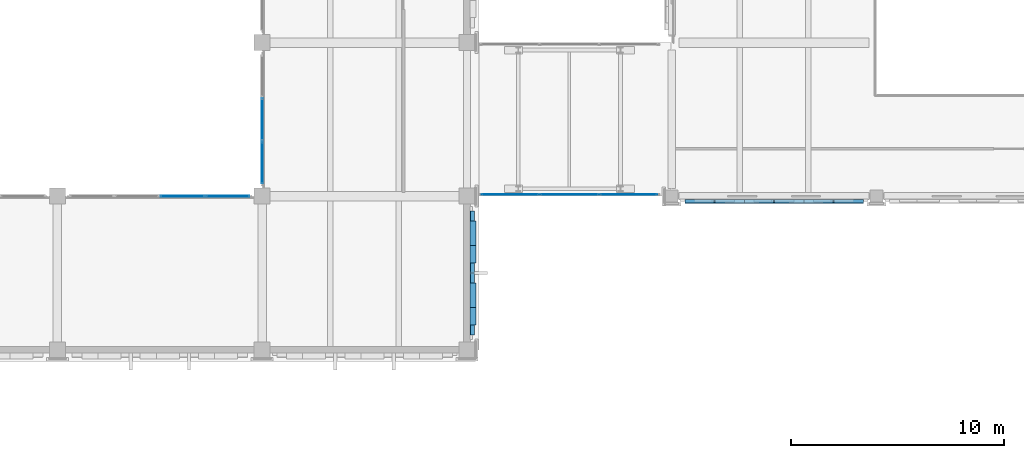
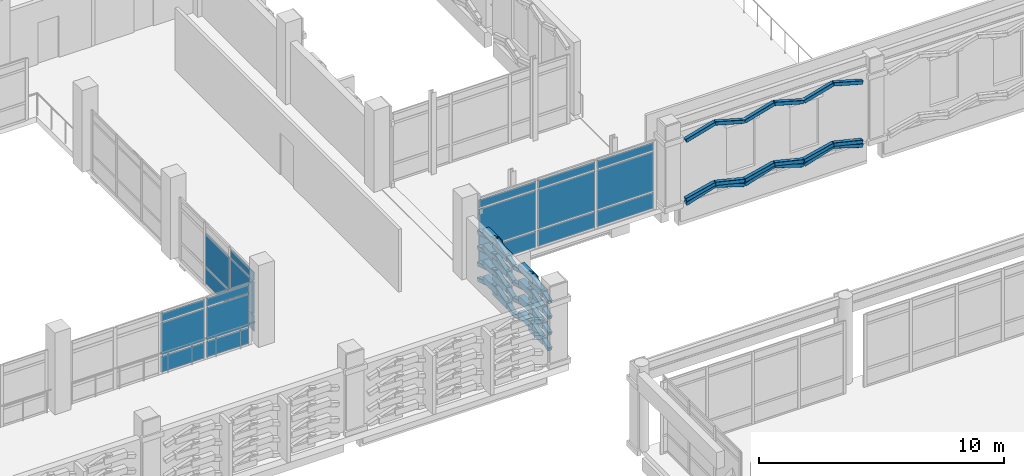
# One storey, part 138 of 180: 70 plates, 3 elements without a shape of their own.
"""IFC4 building model written with IfcOpenShell, lengths in metres."""

from ifc_helpers import new_model, si_unit, direction, frame, origin, origin_2d, place, context, subcontext, project, spatial, rectangle, hollow_rectangle, extrude, material, layer, layer_set, material_profile, profile_set, type_object, element, aggregate, save


model = new_model("IFC4")

# Units and contexts
model_context = context("Model", 3, precision=1e-05, world=origin(), true_north=direction((0.0, 1.0)))
body_context = subcontext(model_context, "Body", "Model", "MODEL_VIEW")
ifc_project = project(units=[si_unit("LENGTHUNIT", "METRE"), si_unit("AREAUNIT", "SQUARE_METRE"), si_unit("VOLUMEUNIT", "CUBIC_METRE"), si_unit("PLANEANGLEUNIT", "RADIAN"), si_unit("MASSUNIT", "GRAM", prefix="KILO")], contexts=[model_context])

# Site, building, storey
site_placement = place(None, origin())
site = spatial("IfcSite", under=ifc_project, at=site_placement, CompositionType="ELEMENT")
building_placement = place(site_placement, origin())
building = spatial("IfcBuilding", under=site, at=building_placement, Name="Asteropetra Specialist Clinic", CompositionType="ELEMENT")
storey_placement = place(building_placement, frame((0.0, 0.0, 4.419921875)))
storey = spatial("IfcBuildingStorey", under=building, at=storey_placement, Name="L01", CompositionType="ELEMENT", Elevation=4.419921875)

# Plates
ifc_material_1 = material(Name="Chevron emerald aluminium 6063-T6", Category="aluminium")
ifc_material_profile_1 = material_profile(ifc_material_1, hollow_rectangle(XDim=0.179931640625, YDim=0.179931640625, WallThickness=0.010009765625, InnerFilletRadius=0.008056640625, OuterFilletRadius=0.01611328125, at=origin_2d()), Name="SHS 180x180x10.0")
ifc_profile_set_1 = profile_set([ifc_material_profile_1], Name="Chevron emerald aluminium 6063-T6")
plate_type_1 = type_object("IfcPlateType", Name="CHV-RIB-180", PredefinedType="SHEET", material=ifc_profile_set_1)
for number, where, z_axis, x_axis, name in (
    (1, (87.0400390625, 76.55810546875, 0.0400390625), (0.952424147199, 0.0, 0.304775727104), (0.0, 1.0, 0.0), "Chevron Facade Screen Fin CVR-0001"),
    (2, (88.413330078125, 76.55810546875, 0.4794921875), (0.952424147199, 0.0, -0.304775727104), (0.0, 1.0, 0.0), "Chevron Facade Screen Fin CVR-0002"),
):
    element("IfcPlate", number, at=place(storey_placement, frame(where, z_axis=z_axis, x_axis=x_axis)), inside=storey, type_object=plate_type_1, Name=name, PredefinedType="SHEET", context=body_context, shape_type="SweptSolid", body=[
        extrude(hollow_rectangle(XDim=0.179931640625, YDim=0.179931640625, WallThickness=0.010009765625, InnerFilletRadius=0.008056640625, OuterFilletRadius=0.01611328125, at=origin_2d()), origin(), (0.0, 0.0, 1.0), 1.44189453125),
    ])
for number, where, z_axis, x_axis, name in (
    (3, (87.0400390625, 76.55810546875, 0.239990234375), (0.972308795496, 0.0, 0.233699820713), (0.0, 1.0, 0.0), "Chevron Facade Screen Fin CVR-0003"),
    (4, (88.413330078125, 76.55810546875, 0.570068359375), (0.972308795496, 0.0, -0.233699820713), (0.0, 1.0, 0.0), "Chevron Facade Screen Fin CVR-0004"),
):
    element("IfcPlate", number, at=place(storey_placement, frame(where, z_axis=z_axis, x_axis=x_axis)), inside=storey, type_object=plate_type_1, Name=name, PredefinedType="SHEET", context=body_context, shape_type="SweptSolid", body=[
        extrude(hollow_rectangle(XDim=0.179931640625, YDim=0.179931640625, WallThickness=0.010009765625, InnerFilletRadius=0.008056640625, OuterFilletRadius=0.01611328125, at=origin_2d()), origin(), (0.0, 0.0, 1.0), 1.412353515625),
    ])
for number, where, z_axis, x_axis, name in (
    (5, (87.0400390625, 76.55810546875, 3.190185546875), (0.96198081159, 0.0, 0.273117041086), (0.0, 1.0, 0.0), "Chevron Facade Screen Fin CVR-0005"),
    (6, (88.413330078125, 76.55810546875, 3.580078125), (0.96198081159, 0.0, -0.273117041086), (0.0, 1.0, 0.0), "Chevron Facade Screen Fin CVR-0006"),
):
    element("IfcPlate", number, at=place(storey_placement, frame(where, z_axis=z_axis, x_axis=x_axis)), inside=storey, type_object=plate_type_1, Name=name, PredefinedType="SHEET", context=body_context, shape_type="SweptSolid", body=[
        extrude(hollow_rectangle(XDim=0.179931640625, YDim=0.179931640625, WallThickness=0.010009765625, InnerFilletRadius=0.008056640625, OuterFilletRadius=0.01611328125, at=origin_2d()), origin(), (0.0, 0.0, 1.0), 1.427490234375),
    ])
for number, where, z_axis, x_axis, name in (
    (7, (89.82666015625, 76.55810546875, 0.0400390625), (0.952424147199, 0.0, 0.304775727104), (0.0, 1.0, 0.0), "Chevron Facade Screen Fin CVR-0007"),
    (8, (91.199951171875, 76.55810546875, 0.4794921875), (0.952424147199, 0.0, -0.304775727104), (0.0, 1.0, 0.0), "Chevron Facade Screen Fin CVR-0008"),
):
    element("IfcPlate", number, at=place(storey_placement, frame(where, z_axis=z_axis, x_axis=x_axis)), inside=storey, type_object=plate_type_1, Name=name, PredefinedType="SHEET", context=body_context, shape_type="SweptSolid", body=[
        extrude(hollow_rectangle(XDim=0.179931640625, YDim=0.179931640625, WallThickness=0.010009765625, InnerFilletRadius=0.008056640625, OuterFilletRadius=0.01611328125, at=origin_2d()), origin(), (0.0, 0.0, 1.0), 1.44189453125),
    ])
for number, where, z_axis, x_axis, name in (
    (9, (89.82666015625, 76.55810546875, 0.239990234375), (0.972308795496, 0.0, 0.233699820713), (0.0, 1.0, 0.0), "Chevron Facade Screen Fin CVR-0009"),
    (10, (91.199951171875, 76.55810546875, 0.570068359375), (0.972308795496, 0.0, -0.233699820713), (0.0, 1.0, 0.0), "Chevron Facade Screen Fin CVR-0010"),
):
    element("IfcPlate", number, at=place(storey_placement, frame(where, z_axis=z_axis, x_axis=x_axis)), inside=storey, type_object=plate_type_1, Name=name, PredefinedType="SHEET", context=body_context, shape_type="SweptSolid", body=[
        extrude(hollow_rectangle(XDim=0.179931640625, YDim=0.179931640625, WallThickness=0.010009765625, InnerFilletRadius=0.008056640625, OuterFilletRadius=0.01611328125, at=origin_2d()), origin(), (0.0, 0.0, 1.0), 1.412353515625),
    ])
for number, where, z_axis, x_axis, name in (
    (11, (89.82666015625, 76.55810546875, 3.190185546875), (0.96198081159, 0.0, 0.273117041086), (0.0, 1.0, 0.0), "Chevron Facade Screen Fin CVR-0011"),
    (12, (91.199951171875, 76.55810546875, 3.580078125), (0.96198081159, 0.0, -0.273117041086), (0.0, 1.0, 0.0), "Chevron Facade Screen Fin CVR-0012"),
):
    element("IfcPlate", number, at=place(storey_placement, frame(where, z_axis=z_axis, x_axis=x_axis)), inside=storey, type_object=plate_type_1, Name=name, PredefinedType="SHEET", context=body_context, shape_type="SweptSolid", body=[
        extrude(hollow_rectangle(XDim=0.179931640625, YDim=0.179931640625, WallThickness=0.010009765625, InnerFilletRadius=0.008056640625, OuterFilletRadius=0.01611328125, at=origin_2d()), origin(), (0.0, 0.0, 1.0), 1.427490234375),
    ])
plate_1_placement = place(storey_placement, frame((92.61328125, 76.55810546875, 0.0400390625), z_axis=(0.952439871219, 0.0, 0.304726585175), x_axis=(0.0, 1.0, 0.0)))
element("IfcPlate", 13, at=plate_1_placement, inside=storey, type_object=plate_type_1, Name="Chevron Facade Screen Fin CVR-0013", PredefinedType="SHEET", context=body_context, shape_type="SweptSolid", body=[
    extrude(hollow_rectangle(XDim=0.179931640625, YDim=0.179931640625, WallThickness=0.010009765625, InnerFilletRadius=0.008056640625, OuterFilletRadius=0.01611328125, at=origin_2d()), origin(), (0.0, 0.0, 1.0), 1.442138671875),
])
plate_2_placement = place(storey_placement, frame((93.98681640625, 76.55810546875, 0.4794921875), z_axis=(0.952424147199, 0.0, -0.304775727104), x_axis=(0.0, 1.0, 0.0)))
element("IfcPlate", 14, at=plate_2_placement, inside=storey, type_object=plate_type_1, Name="Chevron Facade Screen Fin CVR-0014", PredefinedType="SHEET", context=body_context, shape_type="SweptSolid", body=[
    extrude(hollow_rectangle(XDim=0.179931640625, YDim=0.179931640625, WallThickness=0.010009765625, InnerFilletRadius=0.008056640625, OuterFilletRadius=0.01611328125, at=origin_2d()), origin(), (0.0, 0.0, 1.0), 1.44189453125),
])
plate_3_placement = place(storey_placement, frame((92.61328125, 76.55810546875, 0.239990234375), z_axis=(0.972318233691, 0.0, 0.233660549582), x_axis=(0.0, 1.0, 0.0)))
element("IfcPlate", 15, at=plate_3_placement, inside=storey, type_object=plate_type_1, Name="Chevron Facade Screen Fin CVR-0015", PredefinedType="SHEET", context=body_context, shape_type="SweptSolid", body=[
    extrude(hollow_rectangle(XDim=0.179931640625, YDim=0.179931640625, WallThickness=0.010009765625, InnerFilletRadius=0.008056640625, OuterFilletRadius=0.01611328125, at=origin_2d()), origin(), (0.0, 0.0, 1.0), 1.41259765625),
])
plate_4_placement = place(storey_placement, frame((93.98681640625, 76.55810546875, 0.570068359375), z_axis=(0.972308795496, 0.0, -0.233699820713), x_axis=(0.0, 1.0, 0.0)))
element("IfcPlate", 16, at=plate_4_placement, inside=storey, type_object=plate_type_1, Name="Chevron Facade Screen Fin CVR-0016", PredefinedType="SHEET", context=body_context, shape_type="SweptSolid", body=[
    extrude(hollow_rectangle(XDim=0.179931640625, YDim=0.179931640625, WallThickness=0.010009765625, InnerFilletRadius=0.008056640625, OuterFilletRadius=0.01611328125, at=origin_2d()), origin(), (0.0, 0.0, 1.0), 1.412353515625),
])
plate_5_placement = place(storey_placement, frame((92.61328125, 76.55810546875, 3.190185546875), z_axis=(0.961993565235, 0.0, 0.273072115834), x_axis=(0.0, 1.0, 0.0)))
element("IfcPlate", 17, at=plate_5_placement, inside=storey, type_object=plate_type_1, Name="Chevron Facade Screen Fin CVR-0017", PredefinedType="SHEET", context=body_context, shape_type="SweptSolid", body=[
    extrude(hollow_rectangle(XDim=0.179931640625, YDim=0.179931640625, WallThickness=0.010009765625, InnerFilletRadius=0.008056640625, OuterFilletRadius=0.01611328125, at=origin_2d()), origin(), (0.0, 0.0, 1.0), 1.427734375),
])
plate_6_placement = place(storey_placement, frame((93.98681640625, 76.55810546875, 3.580078125), z_axis=(0.96198081159, 0.0, -0.273117041086), x_axis=(0.0, 1.0, 0.0)))
element("IfcPlate", 18, at=plate_6_placement, inside=storey, type_object=plate_type_1, Name="Chevron Facade Screen Fin CVR-0018", PredefinedType="SHEET", context=body_context, shape_type="SweptSolid", body=[
    extrude(hollow_rectangle(XDim=0.179931640625, YDim=0.179931640625, WallThickness=0.010009765625, InnerFilletRadius=0.008056640625, OuterFilletRadius=0.01611328125, at=origin_2d()), origin(), (0.0, 0.0, 1.0), 1.427490234375),
])
ifc_material_2 = material(Name="Chevron emerald aluminium 6063-T6", Category="aluminium")
ifc_material_profile_2 = material_profile(ifc_material_2, hollow_rectangle(XDim=0.199951171875, YDim=0.199951171875, WallThickness=0.010009765625, InnerFilletRadius=0.008056640625, OuterFilletRadius=0.01611328125, at=origin_2d()), Name="SHS 200x200x10.0")
ifc_profile_set_2 = profile_set([ifc_material_profile_2], Name="Chevron emerald aluminium 6063-T6")
plate_type_2 = type_object("IfcPlateType", Name="CHV-RIB-200", PredefinedType="SHEET", material=ifc_profile_set_2)
plate_7_placement = place(storey_placement, frame((77.052001953125, 70.31494140625, 0.050048828125), z_axis=(0.0, 0.952507040007, 0.304516565619), x_axis=(-1.0, 0.0, 0.0)))
element("IfcPlate", 19, at=plate_7_placement, inside=storey, type_object=plate_type_2, Name="Chevron Facade Screen Fin CVR-0683", PredefinedType="SHEET", context=body_context, shape_type="SweptSolid", body=[
    extrude(hollow_rectangle(XDim=0.199951171875, YDim=0.199951171875, WallThickness=0.010009765625, InnerFilletRadius=0.008056640625, OuterFilletRadius=0.01611328125, at=origin_2d()), origin(), (0.0, 0.0, 1.0), 1.504150390625),
])
plate_8_placement = place(storey_placement, frame((77.052001953125, 71.74755859375, 0.508056640625), z_axis=(0.0, 0.952491984317, -0.304563654777), x_axis=(-1.0, 0.0, 0.0)))
element("IfcPlate", 20, at=plate_8_placement, inside=storey, type_object=plate_type_2, Name="Chevron Facade Screen Fin CVR-0684", PredefinedType="SHEET", context=body_context, shape_type="SweptSolid", body=[
    extrude(hollow_rectangle(XDim=0.199951171875, YDim=0.199951171875, WallThickness=0.010009765625, InnerFilletRadius=0.008056640625, OuterFilletRadius=0.01611328125, at=origin_2d()), origin(), (0.0, 0.0, 1.0), 1.50390625),
])
plate_9_placement = place(storey_placement, frame((77.052001953125, 70.31494140625, 0.820068359375), z_axis=(0.0, 0.952507040007, 0.304516565619), x_axis=(-1.0, 0.0, 0.0)))
element("IfcPlate", 21, at=plate_9_placement, inside=storey, type_object=plate_type_2, Name="Chevron Facade Screen Fin CVR-0685", PredefinedType="SHEET", context=body_context, shape_type="SweptSolid", body=[
    extrude(hollow_rectangle(XDim=0.199951171875, YDim=0.199951171875, WallThickness=0.010009765625, InnerFilletRadius=0.008056640625, OuterFilletRadius=0.01611328125, at=origin_2d()), origin(), (0.0, 0.0, 1.0), 1.504150390625),
])
plate_10_placement = place(storey_placement, frame((77.052001953125, 71.74755859375, 1.278076171875), z_axis=(0.0, 0.952491984317, -0.304563654777), x_axis=(-1.0, 0.0, 0.0)))
element("IfcPlate", 22, at=plate_10_placement, inside=storey, type_object=plate_type_2, Name="Chevron Facade Screen Fin CVR-0686", PredefinedType="SHEET", context=body_context, shape_type="SweptSolid", body=[
    extrude(hollow_rectangle(XDim=0.199951171875, YDim=0.199951171875, WallThickness=0.010009765625, InnerFilletRadius=0.008056640625, OuterFilletRadius=0.01611328125, at=origin_2d()), origin(), (0.0, 0.0, 1.0), 1.50390625),
])
plate_11_placement = place(storey_placement, frame((77.052001953125, 70.31494140625, 1.6201171875), z_axis=(0.0, 0.952507040007, 0.304516565619), x_axis=(-1.0, 0.0, 0.0)))
element("IfcPlate", 23, at=plate_11_placement, inside=storey, type_object=plate_type_2, Name="Chevron Facade Screen Fin CVR-0687", PredefinedType="SHEET", context=body_context, shape_type="SweptSolid", body=[
    extrude(hollow_rectangle(XDim=0.199951171875, YDim=0.199951171875, WallThickness=0.010009765625, InnerFilletRadius=0.008056640625, OuterFilletRadius=0.01611328125, at=origin_2d()), origin(), (0.0, 0.0, 1.0), 1.504150390625),
])
plate_12_placement = place(storey_placement, frame((77.052001953125, 71.74755859375, 2.078125), z_axis=(0.0, 0.952491984317, -0.304563654777), x_axis=(-1.0, 0.0, 0.0)))
element("IfcPlate", 24, at=plate_12_placement, inside=storey, type_object=plate_type_2, Name="Chevron Facade Screen Fin CVR-0688", PredefinedType="SHEET", context=body_context, shape_type="SweptSolid", body=[
    extrude(hollow_rectangle(XDim=0.199951171875, YDim=0.199951171875, WallThickness=0.010009765625, InnerFilletRadius=0.008056640625, OuterFilletRadius=0.01611328125, at=origin_2d()), origin(), (0.0, 0.0, 1.0), 1.50390625),
])
plate_13_placement = place(storey_placement, frame((77.052001953125, 70.31494140625, 2.400146484375), z_axis=(0.0, 0.952507040007, 0.304516565619), x_axis=(-1.0, 0.0, 0.0)))
element("IfcPlate", 25, at=plate_13_placement, inside=storey, type_object=plate_type_2, Name="Chevron Facade Screen Fin CVR-0689", PredefinedType="SHEET", context=body_context, shape_type="SweptSolid", body=[
    extrude(hollow_rectangle(XDim=0.199951171875, YDim=0.199951171875, WallThickness=0.010009765625, InnerFilletRadius=0.008056640625, OuterFilletRadius=0.01611328125, at=origin_2d()), origin(), (0.0, 0.0, 1.0), 1.504150390625),
])
plate_14_placement = place(storey_placement, frame((77.052001953125, 71.74755859375, 2.858154296875), z_axis=(0.0, 0.952491984317, -0.304563654777), x_axis=(-1.0, 0.0, 0.0)))
element("IfcPlate", 26, at=plate_14_placement, inside=storey, type_object=plate_type_2, Name="Chevron Facade Screen Fin CVR-0690", PredefinedType="SHEET", context=body_context, shape_type="SweptSolid", body=[
    extrude(hollow_rectangle(XDim=0.199951171875, YDim=0.199951171875, WallThickness=0.010009765625, InnerFilletRadius=0.008056640625, OuterFilletRadius=0.01611328125, at=origin_2d()), origin(), (0.0, 0.0, 1.0), 1.50390625),
])
plate_15_placement = place(storey_placement, frame((77.052001953125, 73.219970703125, 0.050048828125), z_axis=(0.0, 0.952507040007, 0.304516565619), x_axis=(-1.0, 0.0, 0.0)))
element("IfcPlate", 27, at=plate_15_placement, inside=storey, type_object=plate_type_2, Name="Chevron Facade Screen Fin CVR-0691", PredefinedType="SHEET", context=body_context, shape_type="SweptSolid", body=[
    extrude(hollow_rectangle(XDim=0.199951171875, YDim=0.199951171875, WallThickness=0.010009765625, InnerFilletRadius=0.008056640625, OuterFilletRadius=0.01611328125, at=origin_2d()), origin(), (0.0, 0.0, 1.0), 1.504150390625),
])
plate_16_placement = place(storey_placement, frame((77.052001953125, 74.652587890625, 0.508056640625), z_axis=(0.0, 0.952491984317, -0.304563654777), x_axis=(-1.0, 0.0, 0.0)))
element("IfcPlate", 28, at=plate_16_placement, inside=storey, type_object=plate_type_2, Name="Chevron Facade Screen Fin CVR-0692", PredefinedType="SHEET", context=body_context, shape_type="SweptSolid", body=[
    extrude(hollow_rectangle(XDim=0.199951171875, YDim=0.199951171875, WallThickness=0.010009765625, InnerFilletRadius=0.008056640625, OuterFilletRadius=0.01611328125, at=origin_2d()), origin(), (0.0, 0.0, 1.0), 1.50390625),
])
plate_17_placement = place(storey_placement, frame((77.052001953125, 73.219970703125, 0.820068359375), z_axis=(0.0, 0.952507040007, 0.304516565619), x_axis=(-1.0, 0.0, 0.0)))
element("IfcPlate", 29, at=plate_17_placement, inside=storey, type_object=plate_type_2, Name="Chevron Facade Screen Fin CVR-0693", PredefinedType="SHEET", context=body_context, shape_type="SweptSolid", body=[
    extrude(hollow_rectangle(XDim=0.199951171875, YDim=0.199951171875, WallThickness=0.010009765625, InnerFilletRadius=0.008056640625, OuterFilletRadius=0.01611328125, at=origin_2d()), origin(), (0.0, 0.0, 1.0), 1.504150390625),
])
plate_18_placement = place(storey_placement, frame((77.052001953125, 74.652587890625, 1.278076171875), z_axis=(0.0, 0.952491984317, -0.304563654777), x_axis=(-1.0, 0.0, 0.0)))
element("IfcPlate", 30, at=plate_18_placement, inside=storey, type_object=plate_type_2, Name="Chevron Facade Screen Fin CVR-0694", PredefinedType="SHEET", context=body_context, shape_type="SweptSolid", body=[
    extrude(hollow_rectangle(XDim=0.199951171875, YDim=0.199951171875, WallThickness=0.010009765625, InnerFilletRadius=0.008056640625, OuterFilletRadius=0.01611328125, at=origin_2d()), origin(), (0.0, 0.0, 1.0), 1.50390625),
])
plate_19_placement = place(storey_placement, frame((77.052001953125, 73.219970703125, 1.6201171875), z_axis=(0.0, 0.952507040007, 0.304516565619), x_axis=(-1.0, 0.0, 0.0)))
element("IfcPlate", 31, at=plate_19_placement, inside=storey, type_object=plate_type_2, Name="Chevron Facade Screen Fin CVR-0695", PredefinedType="SHEET", context=body_context, shape_type="SweptSolid", body=[
    extrude(hollow_rectangle(XDim=0.199951171875, YDim=0.199951171875, WallThickness=0.010009765625, InnerFilletRadius=0.008056640625, OuterFilletRadius=0.01611328125, at=origin_2d()), origin(), (0.0, 0.0, 1.0), 1.504150390625),
])
plate_20_placement = place(storey_placement, frame((77.052001953125, 74.652587890625, 2.078125), z_axis=(0.0, 0.952491984317, -0.304563654777), x_axis=(-1.0, 0.0, 0.0)))
element("IfcPlate", 32, at=plate_20_placement, inside=storey, type_object=plate_type_2, Name="Chevron Facade Screen Fin CVR-0696", PredefinedType="SHEET", context=body_context, shape_type="SweptSolid", body=[
    extrude(hollow_rectangle(XDim=0.199951171875, YDim=0.199951171875, WallThickness=0.010009765625, InnerFilletRadius=0.008056640625, OuterFilletRadius=0.01611328125, at=origin_2d()), origin(), (0.0, 0.0, 1.0), 1.50390625),
])
plate_21_placement = place(storey_placement, frame((77.052001953125, 73.219970703125, 2.400146484375), z_axis=(0.0, 0.952507040007, 0.304516565619), x_axis=(-1.0, 0.0, 0.0)))
element("IfcPlate", 33, at=plate_21_placement, inside=storey, type_object=plate_type_2, Name="Chevron Facade Screen Fin CVR-0697", PredefinedType="SHEET", context=body_context, shape_type="SweptSolid", body=[
    extrude(hollow_rectangle(XDim=0.199951171875, YDim=0.199951171875, WallThickness=0.010009765625, InnerFilletRadius=0.008056640625, OuterFilletRadius=0.01611328125, at=origin_2d()), origin(), (0.0, 0.0, 1.0), 1.504150390625),
])
plate_22_placement = place(storey_placement, frame((77.052001953125, 74.652587890625, 2.858154296875), z_axis=(0.0, 0.952491984317, -0.304563654777), x_axis=(-1.0, 0.0, 0.0)))
element("IfcPlate", 34, at=plate_22_placement, inside=storey, type_object=plate_type_2, Name="Chevron Facade Screen Fin CVR-0698", PredefinedType="SHEET", context=body_context, shape_type="SweptSolid", body=[
    extrude(hollow_rectangle(XDim=0.199951171875, YDim=0.199951171875, WallThickness=0.010009765625, InnerFilletRadius=0.008056640625, OuterFilletRadius=0.01611328125, at=origin_2d()), origin(), (0.0, 0.0, 1.0), 1.50390625),
])

# Curtain wall, plates
ifc_material_3 = material(Name="Aluminium and low-E glass", Category="aluminium")
ifc_layer_1 = layer(ifc_material_3, 0.135009765625)
ifc_layer_set_1 = layer_set([ifc_layer_1], Name="Aluminium and low-E glass")
curtain_wall_type_1 = type_object("IfcCurtainWallType", Name="CW-SYS-06", PredefinedType="USERDEFINED", material=ifc_layer_set_1)
curtain_wall_1_placement = place(storey_placement, origin())
curtain_wall_1 = element("IfcCurtainWall", 35, at=curtain_wall_1_placement, inside=storey, type_object=curtain_wall_type_1, Name="Curtain Wall CW-030", ObjectType="UNITISED CURTAIN WALL", PredefinedType="USERDEFINED")
ifc_material_4 = material(Name="Solar-control triple glazing", Category="glass")
ifc_layer_2 = layer(ifc_material_4, 0.035888671875)
ifc_layer_set_2 = layer_set([ifc_layer_2], Name="Solar-control triple glazing")
plate_type_3 = type_object("IfcPlateType", Name="CWP-GLZ-36", PredefinedType="CURTAIN_PANEL", material=ifc_layer_set_2)
plate_23_placement = place(storey_placement, frame((67.199951171875, 78.37548828125, 0.074951171875), z_axis=(0.0, 0.0, 1.0), x_axis=(0.0, 1.0, 0.0)))
plate_23 = element("IfcPlate", 36, at=plate_23_placement, type_object=plate_type_3, Name="CW-030 panel 1.1", PredefinedType="CURTAIN_PANEL", context=body_context, shape_type="SweptSolid", body=[
    extrude(rectangle(XDim=1.930908203125, YDim=0.035888671875, at=origin_2d()), origin(), (0.0, 0.0, 1.0), 0.78759765625),
])
plate_24_placement = place(storey_placement, frame((67.199951171875, 78.37548828125, 0.9375), z_axis=(0.0, 0.0, 1.0), x_axis=(0.0, 1.0, 0.0)))
plate_24 = element("IfcPlate", 37, at=plate_24_placement, type_object=plate_type_3, Name="CW-030 panel 1.2", PredefinedType="CURTAIN_PANEL", context=body_context, shape_type="SweptSolid", body=[
    extrude(rectangle(XDim=1.930908203125, YDim=0.035888671875, at=origin_2d()), origin(), (0.0, 0.0, 1.0), 1.60498046875),
])
plate_25_placement = place(storey_placement, frame((67.199951171875, 78.37548828125, 2.61767578125), z_axis=(0.0, 0.0, 1.0), x_axis=(0.0, 1.0, 0.0)))
plate_25 = element("IfcPlate", 38, at=plate_25_placement, type_object=plate_type_3, Name="CW-030 panel 1.3", PredefinedType="CURTAIN_PANEL", context=body_context, shape_type="SweptSolid", body=[
    extrude(rectangle(XDim=1.930908203125, YDim=0.035888671875, at=origin_2d()), origin(), (0.0, 0.0, 1.0), 0.387451171875),
])
plate_26_placement = place(storey_placement, frame((67.199951171875, 80.39990234375, 0.074951171875), z_axis=(0.0, 0.0, 1.0), x_axis=(0.0, 1.0, 0.0)))
plate_26 = element("IfcPlate", 39, at=plate_26_placement, type_object=plate_type_3, Name="CW-030 panel 2.1", PredefinedType="CURTAIN_PANEL", context=body_context, shape_type="SweptSolid", body=[
    extrude(rectangle(XDim=1.96826171875, YDim=0.035888671875, at=origin_2d()), origin(), (0.0, 0.0, 1.0), 0.78759765625),
])
plate_27_placement = place(storey_placement, frame((67.199951171875, 80.39990234375, 0.9375), z_axis=(0.0, 0.0, 1.0), x_axis=(0.0, 1.0, 0.0)))
plate_27 = element("IfcPlate", 40, at=plate_27_placement, type_object=plate_type_3, Name="CW-030 panel 2.2", PredefinedType="CURTAIN_PANEL", context=body_context, shape_type="SweptSolid", body=[
    extrude(rectangle(XDim=1.96826171875, YDim=0.035888671875, at=origin_2d()), origin(), (0.0, 0.0, 1.0), 1.60498046875),
])
aggregate(curtain_wall_1, [plate_23, plate_24, plate_25, plate_26, plate_27])

ifc_material_5 = material(Name="Aluminium and low-E glass", Category="aluminium")
ifc_layer_3 = layer(ifc_material_5, 0.179931640625)
ifc_layer_set_3 = layer_set([ifc_layer_3], Name="Aluminium and low-E glass")
curtain_wall_type_2 = type_object("IfcCurtainWallType", Name="CW-SYS-04", PredefinedType="USERDEFINED", material=ifc_layer_set_3)
curtain_wall_2_placement = place(storey_placement, origin())
curtain_wall_2 = element("IfcCurtainWall", 41, at=curtain_wall_2_placement, inside=storey, type_object=curtain_wall_type_2, Name="Curtain Wall CW-027", ObjectType="UNITISED CURTAIN WALL", PredefinedType="USERDEFINED")
ifc_material_6 = material(Name="Laminated skylight glazing", Category="glass")
ifc_layer_4 = layer(ifc_material_6, 0.0400390625)
ifc_layer_set_4 = layer_set([ifc_layer_4], Name="Laminated skylight glazing")
plate_type_4 = type_object("IfcPlateType", Name="CWP-GLZ-40", PredefinedType="CURTAIN_PANEL", material=ifc_layer_set_4)
plate_28_placement = place(storey_placement, frame((63.46630859375, 76.800048828125, 0.074951171875), z_axis=(0.0, 0.0, 1.0), x_axis=(1.0, 0.0, 0.0)))
plate_28 = element("IfcPlate", 42, at=plate_28_placement, type_object=plate_type_4, Name="CW-027 panel 3.1", PredefinedType="CURTAIN_PANEL", context=body_context, shape_type="SweptSolid", body=[
    extrude(rectangle(XDim=2.0576171875, YDim=0.0400390625, at=origin_2d()), origin(), (0.0, 0.0, 1.0), 0.78759765625),
])
plate_29_placement = place(storey_placement, frame((63.46630859375, 76.800048828125, 0.9375), z_axis=(0.0, 0.0, 1.0), x_axis=(1.0, 0.0, 0.0)))
plate_29 = element("IfcPlate", 43, at=plate_29_placement, type_object=plate_type_4, Name="CW-027 panel 3.2", PredefinedType="CURTAIN_PANEL", context=body_context, shape_type="SweptSolid", body=[
    extrude(rectangle(XDim=2.0576171875, YDim=0.0400390625, at=origin_2d()), origin(), (0.0, 0.0, 1.0), 1.60498046875),
])
plate_30_placement = place(storey_placement, frame((63.46630859375, 76.800048828125, 2.61767578125), z_axis=(0.0, 0.0, 1.0), x_axis=(1.0, 0.0, 0.0)))
plate_30 = element("IfcPlate", 44, at=plate_30_placement, type_object=plate_type_4, Name="CW-027 panel 3.3", PredefinedType="CURTAIN_PANEL", context=body_context, shape_type="SweptSolid", body=[
    extrude(rectangle(XDim=2.0576171875, YDim=0.0400390625, at=origin_2d()), origin(), (0.0, 0.0, 1.0), 0.387451171875),
])
plate_31_placement = place(storey_placement, frame((65.580078125, 76.800048828125, 0.074951171875), z_axis=(0.0, 0.0, 1.0), x_axis=(1.0, 0.0, 0.0)))
plate_31 = element("IfcPlate", 45, at=plate_31_placement, type_object=plate_type_4, Name="CW-027 panel 4.1", PredefinedType="CURTAIN_PANEL", context=body_context, shape_type="SweptSolid", body=[
    extrude(rectangle(XDim=2.02001953125, YDim=0.0400390625, at=origin_2d()), origin(), (0.0, 0.0, 1.0), 0.78759765625),
])
plate_32_placement = place(storey_placement, frame((65.580078125, 76.800048828125, 0.9375), z_axis=(0.0, 0.0, 1.0), x_axis=(1.0, 0.0, 0.0)))
plate_32 = element("IfcPlate", 46, at=plate_32_placement, type_object=plate_type_4, Name="CW-027 panel 4.2", PredefinedType="CURTAIN_PANEL", context=body_context, shape_type="SweptSolid", body=[
    extrude(rectangle(XDim=2.02001953125, YDim=0.0400390625, at=origin_2d()), origin(), (0.0, 0.0, 1.0), 1.60498046875),
])
plate_33_placement = place(storey_placement, frame((65.580078125, 76.800048828125, 2.61767578125), z_axis=(0.0, 0.0, 1.0), x_axis=(1.0, 0.0, 0.0)))
plate_33 = element("IfcPlate", 47, at=plate_33_placement, type_object=plate_type_4, Name="CW-027 panel 4.3", PredefinedType="CURTAIN_PANEL", context=body_context, shape_type="SweptSolid", body=[
    extrude(rectangle(XDim=2.02001953125, YDim=0.0400390625, at=origin_2d()), origin(), (0.0, 0.0, 1.0), 0.387451171875),
])
aggregate(curtain_wall_2, [plate_28, plate_29, plate_30, plate_31, plate_32, plate_33])

ifc_material_7 = material(Name="Aluminium and low-E glass", Category="aluminium")
ifc_layer_5 = layer(ifc_material_7, 0.179931640625)
ifc_layer_set_5 = layer_set([ifc_layer_5], Name="Aluminium and low-E glass")
curtain_wall_type_3 = type_object("IfcCurtainWallType", Name="CW-SYS-01", PredefinedType="USERDEFINED", material=ifc_layer_set_5)
curtain_wall_3_placement = place(storey_placement, origin())
curtain_wall_3 = element("IfcCurtainWall", 48, at=curtain_wall_3_placement, inside=storey, type_object=curtain_wall_type_3, Name="Curtain Wall CW-111", ObjectType="UNITISED CURTAIN WALL", PredefinedType="USERDEFINED")
plate_34_placement = place(storey_placement, frame((78.825439453125, 76.8798828125, 0.074951171875), z_axis=(0.0, 0.0, 1.0), x_axis=(1.0, 0.0, 0.0)))
plate_34 = element("IfcPlate", 49, at=plate_34_placement, type_object=plate_type_4, Name="CW-111 panel 1.1", PredefinedType="CURTAIN_PANEL", context=body_context, shape_type="SweptSolid", body=[
    extrude(rectangle(XDim=2.680908203125, YDim=0.0400390625, at=origin_2d()), origin(), (0.0, 0.0, 1.0), 0.78759765625),
])
plate_35_placement = place(storey_placement, frame((78.825439453125, 76.8798828125, 0.9375), z_axis=(0.0, 0.0, 1.0), x_axis=(1.0, 0.0, 0.0)))
plate_35 = element("IfcPlate", 50, at=plate_35_placement, type_object=plate_type_4, Name="CW-111 panel 1.2", PredefinedType="CURTAIN_PANEL", context=body_context, shape_type="SweptSolid", body=[
    extrude(rectangle(XDim=2.680908203125, YDim=0.0400390625, at=origin_2d()), origin(), (0.0, 0.0, 1.0), 1.955078125),
])
plate_36_placement = place(storey_placement, frame((78.825439453125, 76.8798828125, 2.9677734375), z_axis=(0.0, 0.0, 1.0), x_axis=(1.0, 0.0, 0.0)))
plate_36 = element("IfcPlate", 51, at=plate_36_placement, type_object=plate_type_4, Name="CW-111 panel 1.3", PredefinedType="CURTAIN_PANEL", context=body_context, shape_type="SweptSolid", body=[
    extrude(rectangle(XDim=2.680908203125, YDim=0.0400390625, at=origin_2d()), origin(), (0.0, 0.0, 1.0), 0.387451171875),
])
plate_37_placement = place(storey_placement, frame((81.60009765625, 76.8798828125, 0.074951171875), z_axis=(0.0, 0.0, 1.0), x_axis=(1.0, 0.0, 0.0)))
plate_37 = element("IfcPlate", 52, at=plate_37_placement, type_object=plate_type_4, Name="CW-111 panel 2.1", PredefinedType="CURTAIN_PANEL", context=body_context, shape_type="SweptSolid", body=[
    extrude(rectangle(XDim=2.71826171875, YDim=0.0400390625, at=origin_2d()), origin(), (0.0, 0.0, 1.0), 0.78759765625),
])
plate_38_placement = place(storey_placement, frame((81.60009765625, 76.8798828125, 0.9375), z_axis=(0.0, 0.0, 1.0), x_axis=(1.0, 0.0, 0.0)))
plate_38 = element("IfcPlate", 53, at=plate_38_placement, type_object=plate_type_4, Name="CW-111 panel 2.2", PredefinedType="CURTAIN_PANEL", context=body_context, shape_type="SweptSolid", body=[
    extrude(rectangle(XDim=2.71826171875, YDim=0.0400390625, at=origin_2d()), origin(), (0.0, 0.0, 1.0), 1.955078125),
])
plate_39_placement = place(storey_placement, frame((81.60009765625, 76.8798828125, 2.9677734375), z_axis=(0.0, 0.0, 1.0), x_axis=(1.0, 0.0, 0.0)))
plate_39 = element("IfcPlate", 54, at=plate_39_placement, type_object=plate_type_4, Name="CW-111 panel 2.3", PredefinedType="CURTAIN_PANEL", context=body_context, shape_type="SweptSolid", body=[
    extrude(rectangle(XDim=2.71826171875, YDim=0.0400390625, at=origin_2d()), origin(), (0.0, 0.0, 1.0), 0.387451171875),
])
plate_40_placement = place(storey_placement, frame((84.37451171875, 76.8798828125, 0.074951171875), z_axis=(0.0, 0.0, 1.0), x_axis=(1.0, 0.0, 0.0)))
plate_40 = element("IfcPlate", 55, at=plate_40_placement, type_object=plate_type_4, Name="CW-111 panel 3.1", PredefinedType="CURTAIN_PANEL", context=body_context, shape_type="SweptSolid", body=[
    extrude(rectangle(XDim=2.680908203125, YDim=0.0400390625, at=origin_2d()), origin(), (0.0, 0.0, 1.0), 0.78759765625),
])
plate_41_placement = place(storey_placement, frame((84.37451171875, 76.8798828125, 0.9375), z_axis=(0.0, 0.0, 1.0), x_axis=(1.0, 0.0, 0.0)))
plate_41 = element("IfcPlate", 56, at=plate_41_placement, type_object=plate_type_4, Name="CW-111 panel 3.2", PredefinedType="CURTAIN_PANEL", context=body_context, shape_type="SweptSolid", body=[
    extrude(rectangle(XDim=2.680908203125, YDim=0.0400390625, at=origin_2d()), origin(), (0.0, 0.0, 1.0), 1.955078125),
])
plate_42_placement = place(storey_placement, frame((84.37451171875, 76.8798828125, 2.9677734375), z_axis=(0.0, 0.0, 1.0), x_axis=(1.0, 0.0, 0.0)))
plate_42 = element("IfcPlate", 57, at=plate_42_placement, type_object=plate_type_4, Name="CW-111 panel 3.3", PredefinedType="CURTAIN_PANEL", context=body_context, shape_type="SweptSolid", body=[
    extrude(rectangle(XDim=2.680908203125, YDim=0.0400390625, at=origin_2d()), origin(), (0.0, 0.0, 1.0), 0.387451171875),
])
aggregate(curtain_wall_3, [plate_34, plate_35, plate_36, plate_37, plate_38, plate_39, plate_40, plate_41, plate_42])

# Plates
ifc_material_8 = material(Name="Aluminium 6063-T6", Category="aluminium")
ifc_layer_6 = layer(ifc_material_8, 0.139892578125)
ifc_layer_set_6 = layer_set([ifc_layer_6], Name="Aluminium 6063-T6")
plate_type_5 = type_object("IfcPlateType", Name="PLT-CHV-TILE", PredefinedType="SHEET", material=ifc_layer_set_6)
for number, where, z_axis, x_axis, name in (
    (58, (77.090087890625, 71.346435546875, 0.03759765625), (0.0, 0.0, 1.0), (1.0, 0.0, 0.0), "Chevron Ceramic Panel CPT-0321"),
    (59, (77.090087890625, 72.148681640625, 0.21142578125), (0.0, 0.0, 1.0), (1.0, 0.0, 0.0), "Chevron Ceramic Panel CPT-0322"),
    (60, (77.090087890625, 71.346435546875, 0.8076171875), (0.0, 0.0, 1.0), (1.0, 0.0, 0.0), "Chevron Ceramic Panel CPT-0323"),
    (61, (77.090087890625, 72.148681640625, 0.9814453125), (0.0, 0.0, 1.0), (1.0, 0.0, 0.0), "Chevron Ceramic Panel CPT-0324"),
    (62, (77.090087890625, 71.346435546875, 1.607421875), (0.0, 0.0, 1.0), (1.0, 0.0, 0.0), "Chevron Ceramic Panel CPT-0325"),
    (63, (77.090087890625, 72.148681640625, 1.78125), (0.0, 0.0, 1.0), (1.0, 0.0, 0.0), "Chevron Ceramic Panel CPT-0326"),
    (64, (77.090087890625, 71.346435546875, 2.3876953125), (0.0, 0.0, 1.0), (1.0, 0.0, 0.0), "Chevron Ceramic Panel CPT-0327"),
    (65, (77.090087890625, 72.148681640625, 2.5615234375), (0.0, 0.0, 1.0), (1.0, 0.0, 0.0), "Chevron Ceramic Panel CPT-0328"),
    (66, (77.090087890625, 74.25146484375, 0.03759765625), (0.0, 0.0, 1.0), (1.0, 0.0, 0.0), "Chevron Ceramic Panel CPT-0329"),
    (67, (77.090087890625, 75.0537109375, 0.21142578125), (0.0, 0.0, 1.0), (1.0, 0.0, 0.0), "Chevron Ceramic Panel CPT-0330"),
    (68, (77.090087890625, 74.25146484375, 0.8076171875), (0.0, 0.0, 1.0), (1.0, 0.0, 0.0), "Chevron Ceramic Panel CPT-0331"),
    (69, (77.090087890625, 75.0537109375, 0.9814453125), (0.0, 0.0, 1.0), (1.0, 0.0, 0.0), "Chevron Ceramic Panel CPT-0332"),
    (70, (77.090087890625, 74.25146484375, 1.607421875), (0.0, 0.0, 1.0), (1.0, 0.0, 0.0), "Chevron Ceramic Panel CPT-0333"),
    (71, (77.090087890625, 75.0537109375, 1.78125), (0.0, 0.0, 1.0), (1.0, 0.0, 0.0), "Chevron Ceramic Panel CPT-0334"),
    (72, (77.090087890625, 74.25146484375, 2.3876953125), (0.0, 0.0, 1.0), (1.0, 0.0, 0.0), "Chevron Ceramic Panel CPT-0335"),
    (73, (77.090087890625, 75.0537109375, 2.5615234375), (0.0, 0.0, 1.0), (1.0, 0.0, 0.0), "Chevron Ceramic Panel CPT-0336"),
):
    element("IfcPlate", number, at=place(storey_placement, frame(where, z_axis=z_axis, x_axis=x_axis)), inside=storey, type_object=plate_type_5, Name=name, PredefinedType="SHEET", context=body_context, shape_type="SweptSolid", body=[
        extrude(rectangle(XDim=0.280029296875, YDim=1.14599609375, at=origin_2d()), origin(), (0.0, 0.0, 1.0), 0.300048828125),
    ])

save(model, "model.ifc")
